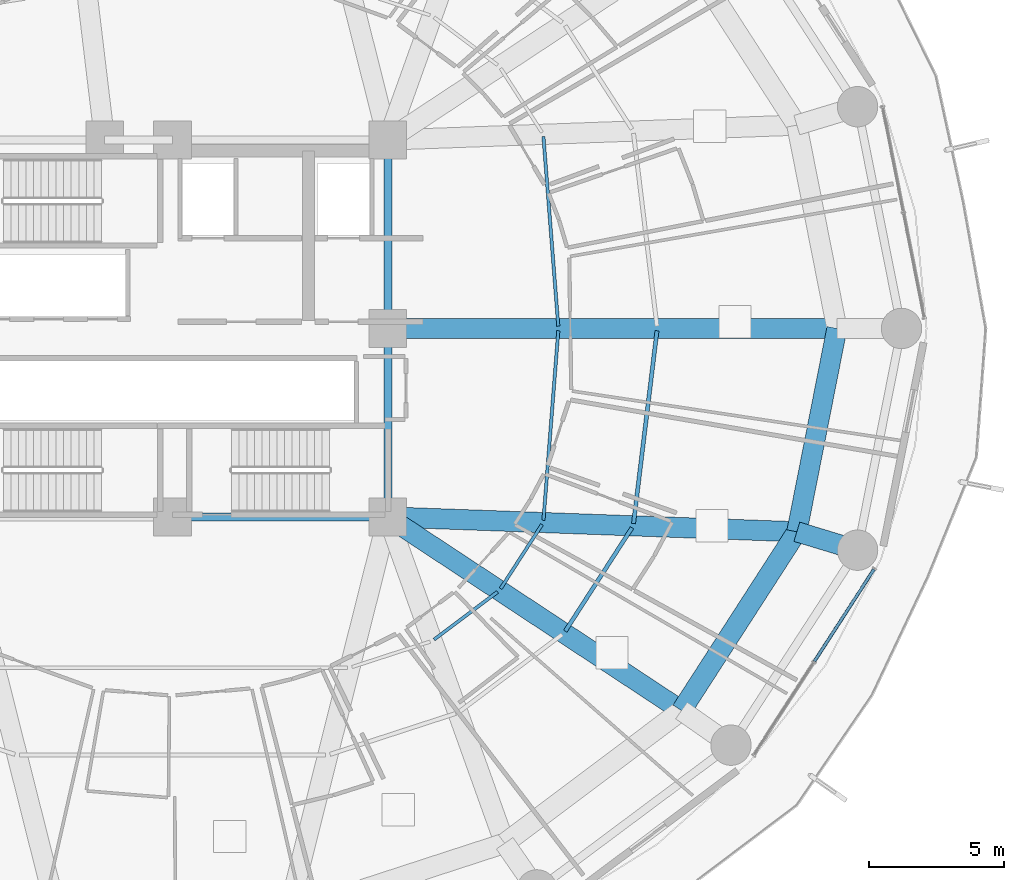
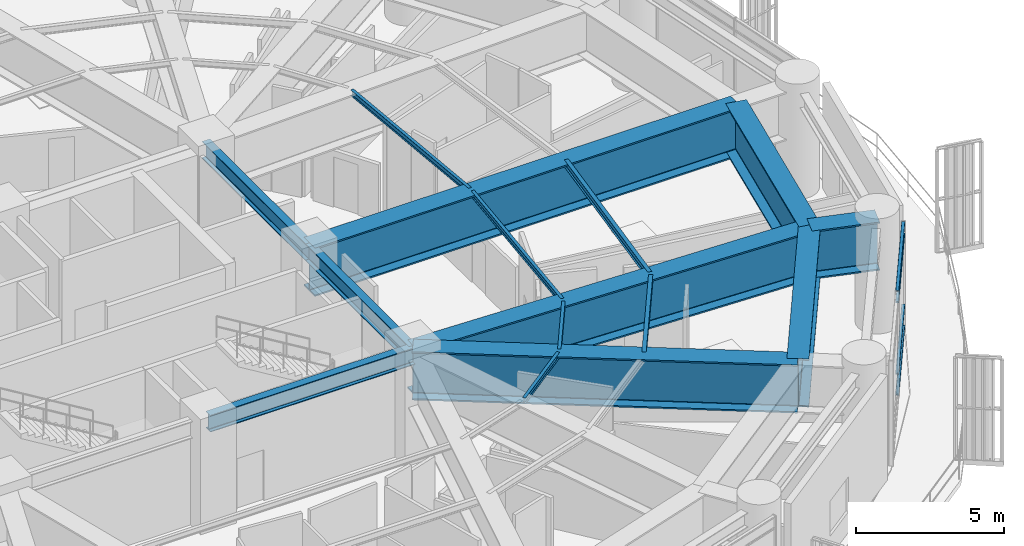
# One storey, part 11 of 31: 15 beams, 4 members, 1 element without a shape of its own.
"""IFC4 building model written with IfcOpenShell, lengths in metres."""

from ifc_helpers import new_model, si_unit, direction, frame, origin, origin_2d, place, context, subcontext, project, spatial, hollow_rectangle, i_section, extrude, material, layer, layer_set, material_profile, profile_set, type_object, element, aggregate, save


model = new_model("IFC4")

# Units and contexts
model_context = context("Model", 3, precision=1e-05, world=origin(), true_north=direction((0.0, 1.0)))
body_context = subcontext(model_context, "Body", "Model", "MODEL_VIEW")
ifc_project = project(units=[si_unit("LENGTHUNIT", "METRE"), si_unit("AREAUNIT", "SQUARE_METRE"), si_unit("VOLUMEUNIT", "CUBIC_METRE"), si_unit("PLANEANGLEUNIT", "RADIAN"), si_unit("MASSUNIT", "GRAM", prefix="KILO")], contexts=[model_context])

# Site, building, storey
site_placement = place(None, origin())
site = spatial("IfcSite", under=ifc_project, at=site_placement, CompositionType="ELEMENT")
building_placement = place(site_placement, origin())
building = spatial("IfcBuilding", under=site, at=building_placement, Name="Kelanora Arch Commons", CompositionType="ELEMENT")
storey_placement = place(building_placement, frame((0.0, 0.0, 67.5)))
storey = spatial("IfcBuildingStorey", under=building, at=storey_placement, Name="L17", CompositionType="ELEMENT", Elevation=67.5)

# Beams
ifc_material_1 = material(Name="Steel S355", Category="steel")
ifc_material_profile_1 = material_profile(ifc_material_1, i_section(OverallWidth=0.300048828125, OverallDepth=0.699951171875, WebThickness=0.01708984375, FlangeThickness=0.031982421875, FilletRadius=0.027099609375, at=origin_2d()), Name="HEB700")
ifc_profile_set_1 = profile_set([ifc_material_profile_1], Name="Steel S355")
beam_type_1 = type_object("IfcBeamType", Name="BM-CORE-HDR", PredefinedType="BEAM", material=ifc_profile_set_1)
beam_1_placement = place(storey_placement, frame((74.0, 51.0, 4.010009765625), z_axis=(1.0, 0.0, 0.0), x_axis=(0.0, 1.0, 0.0)))
element("IfcBeam", 1, at=beam_1_placement, inside=storey, type_object=beam_type_1, Name="Core Header Beam 02 L17", PredefinedType="BEAM", context=body_context, shape_type="SweptSolid", body=[
    extrude(i_section(OverallWidth=0.300048828125, OverallDepth=0.699951171875, WebThickness=0.01708984375, FlangeThickness=0.031982421875, FilletRadius=0.027099609375, at=origin_2d()), origin(), (0.0, 0.0, 1.0), 8.0),
])
for number, where, z_axis, x_axis, name in (
    (2, (82.0, 51.0, 4.010009765625), (0.0, 1.0, 0.0), (-1.0, 0.0, 0.0), "Core Header Beam 03 L17"),
    (3, (82.0, 58.0, 4.010009765625), (0.0, 1.0, 0.0), (-1.0, 0.0, 0.0), "Core Header Beam 04 L17"),
):
    element("IfcBeam", number, at=place(storey_placement, frame(where, z_axis=z_axis, x_axis=x_axis)), inside=storey, type_object=beam_type_1, Name=name, PredefinedType="BEAM", context=body_context, shape_type="SweptSolid", body=[
        extrude(i_section(OverallWidth=0.300048828125, OverallDepth=0.699951171875, WebThickness=0.01708984375, FlangeThickness=0.031982421875, FilletRadius=0.027099609375, at=origin_2d()), origin(), (0.0, 0.0, 1.0), 7.0),
    ])
ifc_material_profile_2 = material_profile(ifc_material_1, i_section(OverallWidth=0.14990234375, OverallDepth=0.300048828125, WebThickness=0.007080078125, FlangeThickness=0.0107421875, FilletRadius=0.014892578125, at=origin_2d()), Name="IPE300")
ifc_profile_set_2 = profile_set([ifc_material_profile_2], Name="Steel S355")
beam_type_2 = type_object("IfcBeamType", Name="BM-JST-01", PredefinedType="JOIST", material=ifc_profile_set_2)
beam_2_placement = place(storey_placement, frame((88.589599609375, 46.755615234375, 4.2099609375), z_axis=(0.542230243286, 0.840229946661, 0.0), x_axis=(-0.840229946661, 0.542230243286, 0.0)))
element("IfcBeam", 4, at=beam_2_placement, inside=storey, type_object=beam_type_2, Name="Secondary Chord Joist BJB-32 L17", PredefinedType="JOIST", context=body_context, shape_type="SweptSolid", body=[
    extrude(i_section(OverallWidth=0.14990234375, OverallDepth=0.300048828125, WebThickness=0.007080078125, FlangeThickness=0.0107421875, FilletRadius=0.014892578125, at=origin_2d()), origin(), (0.0, 0.0, 1.0), 4.572265625),
])
beam_3_placement = place(storey_placement, frame((91.125244140625, 50.75341796875, 4.2099609375), z_axis=(0.120935645266, 0.992660349618, 0.0), x_axis=(-0.992660349618, 0.120935645266, 0.0)))
element("IfcBeam", 5, at=beam_3_placement, inside=storey, type_object=beam_type_2, Name="Secondary Chord Joist BJB-34 L17", PredefinedType="JOIST", context=body_context, shape_type="SweptSolid", body=[
    extrude(i_section(OverallWidth=0.14990234375, OverallDepth=0.300048828125, WebThickness=0.007080078125, FlangeThickness=0.0107421875, FilletRadius=0.014892578125, at=origin_2d()), origin(), (0.0, 0.0, 1.0), 7.215087890625),
])
ifc_material_profile_3 = material_profile(ifc_material_1, i_section(OverallWidth=0.1201171875, OverallDepth=0.239990234375, WebThickness=0.006103515625, FlangeThickness=0.009765625, FilletRadius=0.014892578125, at=origin_2d()), Name="IPE240")
ifc_profile_set_3 = profile_set([ifc_material_profile_3], Name="Steel S355")
beam_type_3 = type_object("IfcBeamType", Name="BM-JST-02", PredefinedType="JOIST", material=ifc_profile_set_3)
beam_4_placement = place(storey_placement, frame((88.331787109375, 58.084716796875, 4.239990234375), z_axis=(-0.078200677502, 0.996937637989, 0.0), x_axis=(-0.996937637989, -0.078200677502, 0.0)))
element("IfcBeam", 6, at=beam_4_placement, inside=storey, type_object=beam_type_3, Name="Secondary Chord Joist BJA-00 L17", PredefinedType="JOIST", context=body_context, shape_type="SweptSolid", body=[
    extrude(i_section(OverallWidth=0.1201171875, OverallDepth=0.239990234375, WebThickness=0.006103515625, FlangeThickness=0.009765625, FilletRadius=0.014892578125, at=origin_2d()), origin(), (0.0, 0.0, 1.0), 7.06201171875),
])
beam_5_placement = place(storey_placement, frame((83.71728515625, 46.444580078125, 4.239990234375), z_axis=(0.799692034361, 0.600410401458, 0.0), x_axis=(-0.600410401458, 0.799692034361, 0.0)))
element("IfcBeam", 7, at=beam_5_placement, inside=storey, type_object=beam_type_3, Name="Secondary Chord Joist BJA-30 L17", PredefinedType="JOIST", context=body_context, shape_type="SweptSolid", body=[
    extrude(i_section(OverallWidth=0.1201171875, OverallDepth=0.239990234375, WebThickness=0.006103515625, FlangeThickness=0.009765625, FilletRadius=0.014892578125, at=origin_2d()), origin(), (0.0, 0.0, 1.0), 2.949951171875),
])
beam_6_placement = place(storey_placement, frame((86.1904296875, 48.338134765625, 4.239990234375), z_axis=(0.542211255502, 0.840242199849, 0.0), x_axis=(-0.840242199849, 0.542211255502, 0.0)))
element("IfcBeam", 8, at=beam_6_placement, inside=storey, type_object=beam_type_3, Name="Secondary Chord Joist BJA-32 L17", PredefinedType="JOIST", context=body_context, shape_type="SweptSolid", body=[
    extrude(i_section(OverallWidth=0.1201171875, OverallDepth=0.239990234375, WebThickness=0.006103515625, FlangeThickness=0.009765625, FilletRadius=0.014892578125, at=origin_2d()), origin(), (0.0, 0.0, 1.0), 2.83349609375),
])
beam_7_placement = place(storey_placement, frame((87.779541015625, 50.875, 4.239990234375), z_axis=(0.078200677502, 0.996937637989, 0.0), x_axis=(-0.996937637989, 0.078200677502, 0.0)))
element("IfcBeam", 9, at=beam_7_placement, inside=storey, type_object=beam_type_3, Name="Secondary Chord Joist BJA-34 L17", PredefinedType="JOIST", context=body_context, shape_type="SweptSolid", body=[
    extrude(i_section(OverallWidth=0.1201171875, OverallDepth=0.239990234375, WebThickness=0.006103515625, FlangeThickness=0.009765625, FilletRadius=0.014892578125, at=origin_2d()), origin(), (0.0, 0.0, 1.0), 7.06201171875),
])
ifc_material_profile_4 = material_profile(ifc_material_1, i_section(OverallWidth=0.75, OverallDepth=2.0, WebThickness=0.034912109375, FlangeThickness=0.06005859375, FilletRadius=0.028076171875, at=origin_2d()), Name="PG2000x750")
ifc_profile_set_4 = profile_set([ifc_material_profile_4], Name="Steel S355")
beam_type_4 = type_object("IfcBeamType", Name="BM-XFER-SET", PredefinedType="USERDEFINED", material=ifc_profile_set_4)
beam_8_placement = place(storey_placement, frame((82.0, 58.0, 3.360107421875), z_axis=(1.0, 0.0, 0.0), x_axis=(0.0, 1.0, 0.0)))
element("IfcBeam", 10, at=beam_8_placement, inside=storey, type_object=beam_type_4, Name="Setback Radial Transfer Girder BRI-00 L17", ObjectType="TRANSFER_GIRDER", PredefinedType="USERDEFINED", context=body_context, shape_type="SweptSolid", body=[
    extrude(i_section(OverallWidth=0.75, OverallDepth=2.0, WebThickness=0.034912109375, FlangeThickness=0.06005859375, FilletRadius=0.028076171875, at=origin_2d()), origin(), (0.0, 0.0, 1.0), 16.679931640625),
])
beam_9_placement = place(storey_placement, frame((82.0, 51.0, 3.360107421875), z_axis=(0.834788577908, -0.550570640512, 0.0), x_axis=(0.550570640512, 0.834788577908, 0.0)))
element("IfcBeam", 11, at=beam_9_placement, inside=storey, type_object=beam_type_4, Name="Setback Radial Transfer Girder BRI-32 L17", ObjectType="TRANSFER_GIRDER", PredefinedType="USERDEFINED", context=body_context, shape_type="SweptSolid", body=[
    extrude(i_section(OverallWidth=0.75, OverallDepth=2.0, WebThickness=0.034912109375, FlangeThickness=0.06005859375, FilletRadius=0.028076171875, at=origin_2d()), origin(), (0.0, 0.0, 1.0), 13.064453125),
])
beam_10_placement = place(storey_placement, frame((82.0, 51.0, 3.360107421875), z_axis=(0.999341087625, -0.036295875581, 0.0), x_axis=(0.036295875581, 0.999341087625, 0.0)))
element("IfcBeam", 12, at=beam_10_placement, inside=storey, type_object=beam_type_4, Name="Setback Radial Transfer Girder BRI-34 L17", ObjectType="TRANSFER_GIRDER", PredefinedType="USERDEFINED", context=body_context, shape_type="SweptSolid", body=[
    extrude(i_section(OverallWidth=0.75, OverallDepth=2.0, WebThickness=0.034912109375, FlangeThickness=0.06005859375, FilletRadius=0.028076171875, at=origin_2d()), origin(), (0.0, 0.0, 1.0), 15.20166015625),
])
beam_11_placement = place(storey_placement, frame((97.191650390625, 50.4482421875, 3.360107421875), z_axis=(0.956949447341, -0.290254638607, 0.0), x_axis=(0.290254638607, 0.956949447341, 0.0)))
element("IfcBeam", 13, at=beam_11_placement, inside=storey, type_object=beam_type_4, Name="Radial Floor Girder BR-34 L17", ObjectType="TRANSFER_GIRDER", PredefinedType="USERDEFINED", context=body_context, shape_type="SweptSolid", body=[
    extrude(i_section(OverallWidth=0.75, OverallDepth=2.0, WebThickness=0.034912109375, FlangeThickness=0.06005859375, FilletRadius=0.028076171875, at=origin_2d()), origin(), (0.0, 0.0, 1.0), 2.35693359375),
])
beam_12_placement = place(storey_placement, frame((92.906005859375, 43.80712890625, 3.360107421875), z_axis=(0.542221144054, 0.840235818649, 0.0), x_axis=(-0.840235818649, 0.542221144054, 0.0)))
element("IfcBeam", 14, at=beam_12_placement, inside=storey, type_object=beam_type_4, Name="Setback Inner Transfer Ring BSI-32 L17", ObjectType="TRANSFER_GIRDER", PredefinedType="USERDEFINED", context=body_context, shape_type="SweptSolid", body=[
    extrude(i_section(OverallWidth=0.75, OverallDepth=2.0, WebThickness=0.034912109375, FlangeThickness=0.06005859375, FilletRadius=0.028076171875, at=origin_2d()), origin(), (0.0, 0.0, 1.0), 7.90380859375),
])
beam_13_placement = place(storey_placement, frame((97.191650390625, 50.4482421875, 3.360107421875), z_axis=(0.19335825777, 0.981128220037, 0.0), x_axis=(-0.981128220037, 0.19335825777, 0.0)))
element("IfcBeam", 15, at=beam_13_placement, inside=storey, type_object=beam_type_4, Name="Setback Inner Transfer Ring BSI-34 L17", ObjectType="TRANSFER_GIRDER", PredefinedType="USERDEFINED", context=body_context, shape_type="SweptSolid", body=[
    extrude(i_section(OverallWidth=0.75, OverallDepth=2.0, WebThickness=0.034912109375, FlangeThickness=0.06005859375, FilletRadius=0.028076171875, at=origin_2d()), origin(), (0.0, 0.0, 1.0), 7.697021484375),
])

# Curtain wall, members
ifc_material_2 = material(Name="Terracotta ceramic-fritted low-E glass and aluminium", Category="masonry")
ifc_layer = layer(ifc_material_2, 0.159912109375)
ifc_layer_set = layer_set([ifc_layer], Name="Terracotta ceramic-fritted low-E glass and aluminium")
curtain_wall_type = type_object("IfcCurtainWallType", Name="CW-SYS-01", PredefinedType="NOTDEFINED", material=ifc_layer_set)
curtain_wall_placement = place(storey_placement, origin())
curtain_wall = element("IfcCurtainWall", 16, at=curtain_wall_placement, inside=storey, type_object=curtain_wall_type, Name="Unitised Curtain Wall L17-B16", PredefinedType="NOTDEFINED")
ifc_material_3 = material(Name="Powder-coated aluminium terracotta", Category="masonry")
ifc_material_profile_5 = material_profile(ifc_material_3, hollow_rectangle(XDim=0.1201171875, YDim=0.06005859375, WallThickness=0.0048828125, InnerFilletRadius=0.0048828125, OuterFilletRadius=0.010009765625, at=origin_2d()), Name="CWT120x60")
ifc_profile_set_5 = profile_set([ifc_material_profile_5], Name="Powder-coated aluminium terracotta")
member_type = type_object("IfcMemberType", Name="CWT-STD", PredefinedType="USERDEFINED", material=ifc_profile_set_5)
member_1_placement = place(storey_placement, frame((97.84716796875, 45.638671875, 0.030029296875), z_axis=(0.542997414293, 0.839734367566, 0.0), x_axis=(-0.839734367566, 0.542997414293, 0.0)))
member_1 = element("IfcMember", 17, at=member_1_placement, type_object=member_type, Name="CW-01 transom 2.1", ObjectType="TRANSOM", PredefinedType="USERDEFINED", context=body_context, shape_type="SweptSolid", body=[
    extrude(hollow_rectangle(XDim=0.1201171875, YDim=0.06005859375, WallThickness=0.0048828125, InnerFilletRadius=0.0048828125, OuterFilletRadius=0.010009765625, at=origin_2d()), origin(), (0.0, 0.0, 1.0), 4.067626953125),
])
member_2_placement = place(storey_placement, frame((97.84716796875, 45.638671875, 0.89990234375), z_axis=(0.542997414293, 0.839734367566, 0.0), x_axis=(-0.839734367566, 0.542997414293, 0.0)))
member_2 = element("IfcMember", 18, at=member_2_placement, type_object=member_type, Name="CW-01 transom 2.2", ObjectType="TRANSOM", PredefinedType="USERDEFINED", context=body_context, shape_type="SweptSolid", body=[
    extrude(hollow_rectangle(XDim=0.1201171875, YDim=0.06005859375, WallThickness=0.0048828125, InnerFilletRadius=0.0048828125, OuterFilletRadius=0.010009765625, at=origin_2d()), origin(), (0.0, 0.0, 1.0), 4.067626953125),
])
member_3_placement = place(storey_placement, frame((97.84716796875, 45.638671875, 3.844970703125), z_axis=(0.542997414293, 0.839734367566, 0.0), x_axis=(-0.839734367566, 0.542997414293, 0.0)))
member_3 = element("IfcMember", 19, at=member_3_placement, type_object=member_type, Name="CW-01 transom 2.3", ObjectType="TRANSOM", PredefinedType="USERDEFINED", context=body_context, shape_type="SweptSolid", body=[
    extrude(hollow_rectangle(XDim=0.1201171875, YDim=0.06005859375, WallThickness=0.0048828125, InnerFilletRadius=0.0048828125, OuterFilletRadius=0.010009765625, at=origin_2d()), origin(), (0.0, 0.0, 1.0), 4.067626953125),
])
member_4_placement = place(storey_placement, frame((97.84716796875, 45.638671875, 4.31494140625), z_axis=(0.542997414293, 0.839734367566, 0.0), x_axis=(-0.839734367566, 0.542997414293, 0.0)))
member_4 = element("IfcMember", 20, at=member_4_placement, type_object=member_type, Name="CW-01 transom 2.4", ObjectType="TRANSOM", PredefinedType="USERDEFINED", context=body_context, shape_type="SweptSolid", body=[
    extrude(hollow_rectangle(XDim=0.1201171875, YDim=0.06005859375, WallThickness=0.0048828125, InnerFilletRadius=0.0048828125, OuterFilletRadius=0.010009765625, at=origin_2d()), origin(), (0.0, 0.0, 1.0), 4.067626953125),
])
aggregate(curtain_wall, [member_1, member_2, member_3, member_4])

save(model, "model.ifc")
